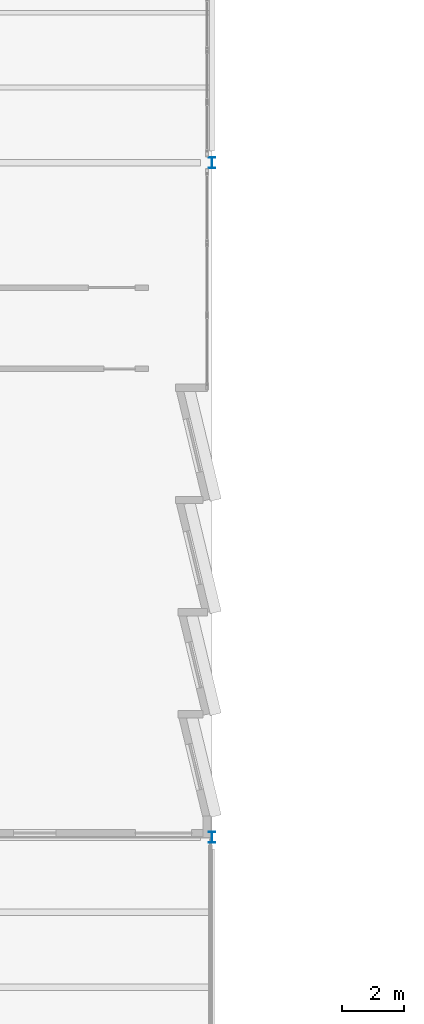
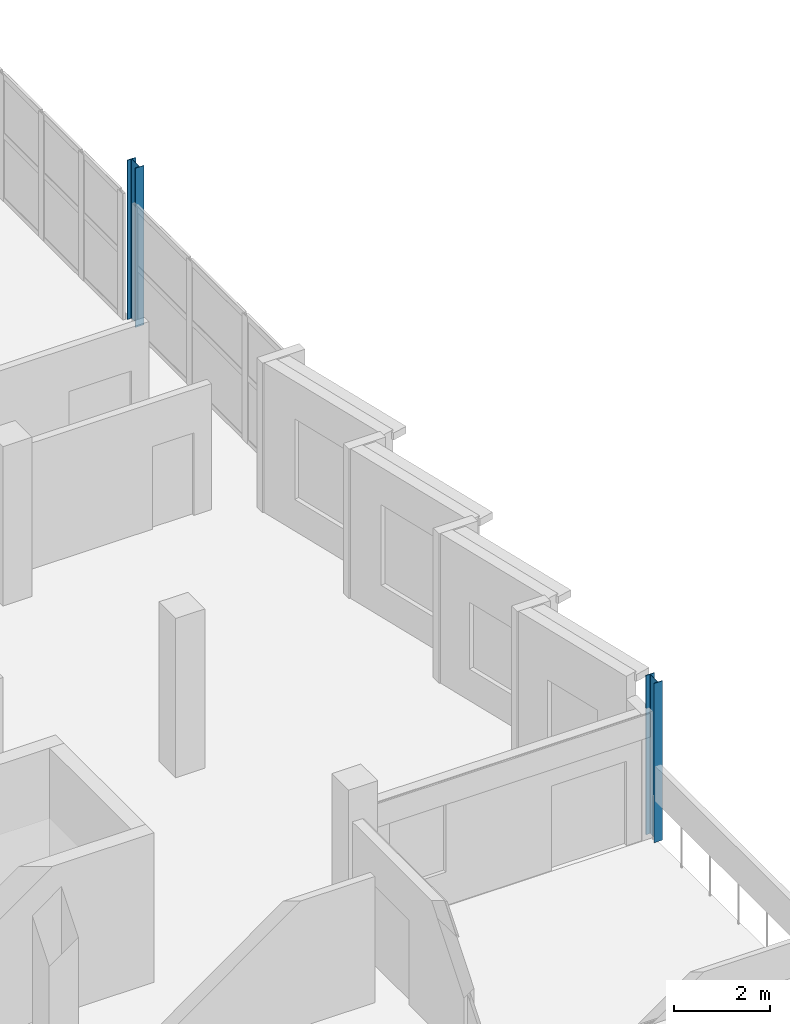
# One storey, part 2 of 38: 2 columns.
"""IFC4 building model written with IfcOpenShell, lengths in metres."""

from ifc_helpers import new_model, si_unit, direction, frame, origin, origin_2d, place, context, subcontext, project, spatial, i_section, extrude, material, material_profile, profile_set, type_object, element, save


model = new_model("IFC4")

# Units and contexts
model_context = context("Model", 3, precision=1e-05, world=origin(), true_north=direction((0.0, 1.0)))
body_context = subcontext(model_context, "Body", "Model", "MODEL_VIEW")
ifc_project = project(units=[si_unit("LENGTHUNIT", "METRE"), si_unit("AREAUNIT", "SQUARE_METRE"), si_unit("VOLUMEUNIT", "CUBIC_METRE"), si_unit("PLANEANGLEUNIT", "RADIAN"), si_unit("MASSUNIT", "GRAM", prefix="KILO")], contexts=[model_context])

# Site, building, storey
site_placement = place(None, origin())
site = spatial("IfcSite", under=ifc_project, at=site_placement, CompositionType="ELEMENT")
building_placement = place(site_placement, origin())
building = spatial("IfcBuilding", under=site, at=building_placement, Name="Kalmorath City Hall", CompositionType="ELEMENT")
storey_placement = place(building_placement, frame((0.0, 0.0, 18.89990234375)))
storey = spatial("IfcBuildingStorey", under=building, at=storey_placement, Name="L04", CompositionType="ELEMENT", Elevation=18.89990234375)

# Columns
ifc_material = material(Name="Steel ASTM A992 Grade 50", Category="steel")
ifc_material_profile = material_profile(ifc_material, i_section(OverallWidth=0.2041015625, OverallDepth=0.35009765625, WebThickness=0.008544921875, FlangeThickness=0.01513671875, FilletRadius=0.014892578125, at=origin_2d()), Name="W14X48")
ifc_profile_set = profile_set([ifc_material_profile], Name="Steel ASTM A992 Grade 50")
column_type = type_object("IfcColumnType", Name="Steel wide-flange column W14X48", PredefinedType="COLUMN", material=ifc_profile_set)
for number, where, z_axis, x_axis, name in (
    (1, (36.0, 7.199951171875, 0.0), (0.0, 0.0, 1.0), (1.0, 0.0, 0.0), "L04 column SC6 (6/2)"),
    (2, (36.0, 28.800048828125, 0.0), (0.0, 0.0, 1.0), (1.0, 0.0, 0.0), "L04 column SC6 (6/5)"),
):
    element("IfcColumn", number, at=place(storey_placement, frame(where, z_axis=z_axis, x_axis=x_axis)), inside=storey, type_object=column_type, Name=name, PredefinedType="COLUMN", context=body_context, shape_type="SweptSolid", body=[
        extrude(i_section(OverallWidth=0.2041015625, OverallDepth=0.35009765625, WebThickness=0.008544921875, FlangeThickness=0.01513671875, FilletRadius=0.014892578125, at=origin_2d()), origin(), (0.0, 0.0, 1.0), 4.050048828125),
    ])

save(model, "model.ifc")
